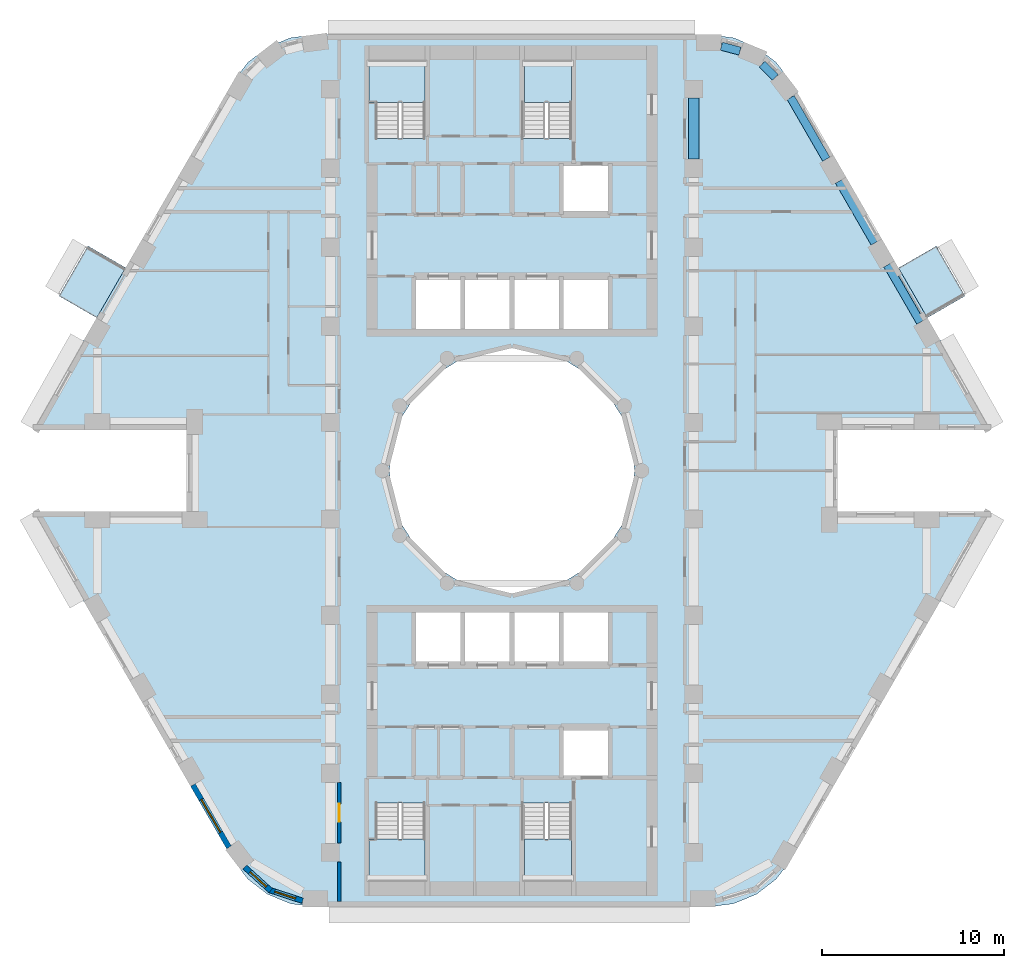
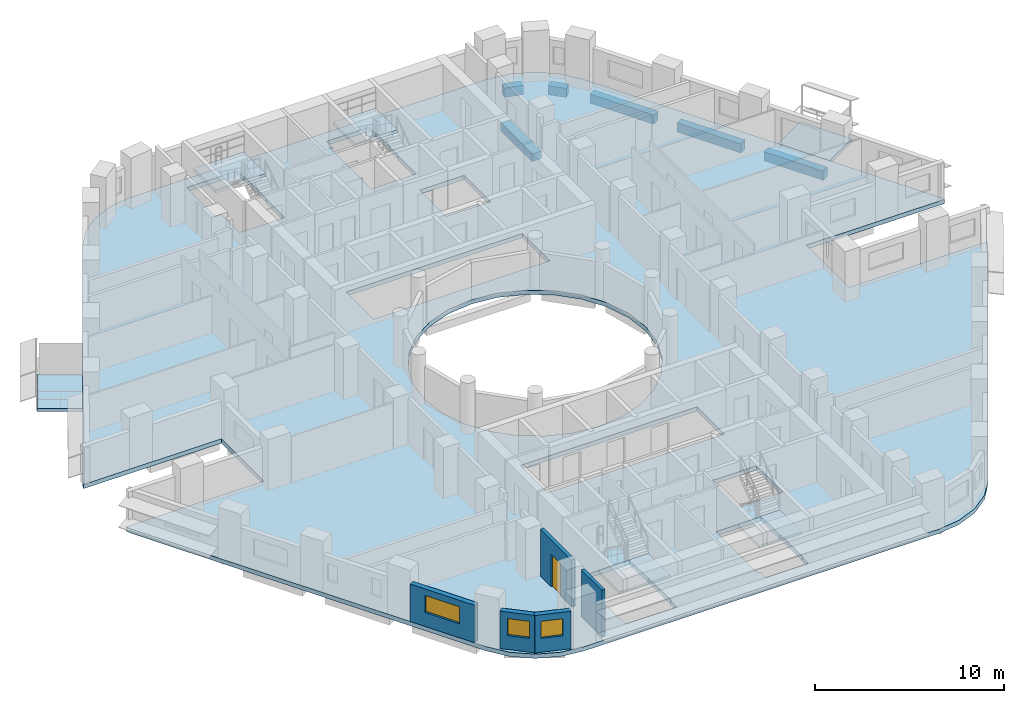
# One storey, part 2 of 14: 7 slabs, 6 beams, 5 walls, 3 windows, 1 door, 4 openings, 4 elements without a shape of their own.
"""IFC4 building model written with IfcOpenShell, lengths in metres."""

from ifc_helpers import new_model, si_unit, direction, frame, frame_2d, origin, origin_2d, place, context, subcontext, project, spatial, polyline, rectangle, outline, extrude, material, layer, layer_set, material_profile, profile_set, type_object, element, fill, aggregate, save


model = new_model("IFC4")

# Units and contexts
model_context = context("Model", 3, precision=1e-05, world=origin(), true_north=direction((0.0, 1.0)))
body_context = subcontext(model_context, "Body", "Model", "MODEL_VIEW")
ifc_project = project(units=[si_unit("LENGTHUNIT", "METRE"), si_unit("AREAUNIT", "SQUARE_METRE"), si_unit("VOLUMEUNIT", "CUBIC_METRE"), si_unit("PLANEANGLEUNIT", "RADIAN"), si_unit("MASSUNIT", "GRAM", prefix="KILO")], contexts=[model_context])

# Site, building, storey
site_placement = place(None, origin())
site = spatial("IfcSite", under=ifc_project, at=site_placement, CompositionType="ELEMENT")
building_placement = place(site_placement, origin())
building = spatial("IfcBuilding", under=site, at=building_placement, Name="Nakaniwa Court", CompositionType="ELEMENT")
storey_placement = place(building_placement, frame((0.0, 0.0, 114.0)))
storey = spatial("IfcBuildingStorey", under=building, at=storey_placement, Name="L30", CompositionType="ELEMENT", Elevation=114.0)

# Beams
ifc_material_1 = material(Name="Concrete C80/100", Category="concrete")
ifc_material_profile_1 = material_profile(ifc_material_1, rectangle(XDim=0.449951171875, YDim=0.60009765625, at=origin_2d()), Name="Concrete C80/100 RC 450x600 spandrel beam")
ifc_profile_set_1 = profile_set([ifc_material_profile_1], Name="Concrete C80/100")
beam_type_1 = type_object("IfcBeamType", Name="Concrete C80/100 RC 450x600 spandrel beam", PredefinedType="BEAM", material=ifc_profile_set_1)
beam_1_placement = place(storey_placement, frame((102.472900390625, 88.17578125, -0.574951171875), z_axis=(-0.499988394233, 0.866032104273, 0.0), x_axis=(-0.866032104273, -0.499988394233, 0.0)))
element("IfcBeam", 1, at=beam_1_placement, inside=storey, type_object=beam_type_1, Name="SPANDREL BEAM", PredefinedType="BEAM", context=body_context, shape_type="SweptSolid", body=[
    extrude(rectangle(XDim=0.449951171875, YDim=0.60009765625, at=origin_2d()), origin(), (0.0, 0.0, 1.0), 3.62890625),
])
beam_2_placement = place(storey_placement, frame((99.95849609375, 92.531005859375, -0.574951171875), z_axis=(-0.49999161165, 0.866030246746, 0.0), x_axis=(-0.866030246746, -0.49999161165, 0.0)))
element("IfcBeam", 2, at=beam_2_placement, inside=storey, type_object=beam_type_1, Name="SPANDREL BEAM", PredefinedType="BEAM", context=body_context, shape_type="SweptSolid", body=[
    extrude(rectangle(XDim=0.449951171875, YDim=0.60009765625, at=origin_2d()), origin(), (0.0, 0.0, 1.0), 3.92578125),
])
beam_3_placement = place(storey_placement, frame((97.29541015625, 97.143310546875, -0.574951171875), z_axis=(-0.499997407846, 0.86602690036, 0.0), x_axis=(-0.86602690036, -0.499997407846, 0.0)))
element("IfcBeam", 3, at=beam_3_placement, inside=storey, type_object=beam_type_1, Name="SPANDREL BEAM", PredefinedType="BEAM", context=body_context, shape_type="SweptSolid", body=[
    extrude(rectangle(XDim=0.449951171875, YDim=0.60009765625, at=origin_2d()), origin(), (0.0, 0.0, 1.0), 3.919921875),
])
beam_4_placement = place(storey_placement, frame((94.484130859375, 101.6494140625, -0.574951171875), z_axis=(-0.705911336947, 0.7083002078, 0.0), x_axis=(-0.7083002078, -0.705911336947, 0.0)))
element("IfcBeam", 4, at=beam_4_placement, inside=storey, type_object=beam_type_1, Name="SPANDREL BEAM", PredefinedType="BEAM", context=body_context, shape_type="SweptSolid", body=[
    extrude(rectangle(XDim=0.449951171875, YDim=0.60009765625, at=origin_2d()), origin(), (0.0, 0.0, 1.0), 1.02197265625),
])
beam_5_placement = place(storey_placement, frame((92.544921875, 103.091796875, -0.574951171875), z_axis=(-0.966315487466, 0.257360406209, 0.0), x_axis=(-0.257360406209, -0.966315487466, 0.0)))
element("IfcBeam", 5, at=beam_5_placement, inside=storey, type_object=beam_type_1, Name="SPANDREL BEAM", PredefinedType="BEAM", context=body_context, shape_type="SweptSolid", body=[
    extrude(rectangle(XDim=0.449951171875, YDim=0.60009765625, at=origin_2d()), origin(), (0.0, 0.0, 1.0), 1.055908203125),
])
ifc_material_profile_2 = material_profile(ifc_material_1, rectangle(XDim=0.60009765625, YDim=0.5, at=origin_2d()), Name="Concrete C80/100 RC 600x500 ring beam")
ifc_profile_set_2 = profile_set([ifc_material_profile_2], Name="Concrete C80/100")
beam_type_2 = type_object("IfcBeamType", Name="Concrete C80/100 RC 600x500 ring beam", PredefinedType="BEAM", material=ifc_profile_set_2)
beam_6_placement = place(storey_placement, frame((90.0, 97.14990234375, -0.52490234375), z_axis=(0.0, 1.0, 0.0), x_axis=(-1.0, 0.0, 0.0)))
element("IfcBeam", 6, at=beam_6_placement, inside=storey, type_object=beam_type_2, Name="RING BEAM", PredefinedType="BEAM", context=body_context, shape_type="SweptSolid", body=[
    extrude(rectangle(XDim=0.60009765625, YDim=0.5, at=origin_2d()), origin(), (0.0, 0.0, 1.0), 3.35009765625),
])

# Slabs
ifc_material_2 = material(Name="Charcoal ceramic paver")
ifc_layer_1 = layer(ifc_material_2, 0.02, Name="Ceramic paver")
ifc_material_3 = material(Name="Cement sand screed")
ifc_layer_2 = layer(ifc_material_3, 0.03, Name="Falls screed")
ifc_material_4 = material(Name="Concrete C40/50", Category="concrete")
ifc_layer_3 = layer(ifc_material_4, 0.15, Name="Balcony slab")
ifc_layer_set_1 = layer_set([ifc_layer_1, ifc_layer_2, ifc_layer_3], Name="Concrete C40/50 balcony slab with ceramic paver finish")
slab_type_1 = type_object("IfcSlabType", Name="Balcony slab 200", PredefinedType="FLOOR", material=ifc_layer_set_1)
slab_1_placement = place(storey_placement, frame((0.0, 0.0, -0.25)))
element("IfcSlab", 7, at=slab_1_placement, inside=storey, type_object=slab_type_1, Name="L30 balcony 01", PredefinedType="FLOOR", context=body_context, shape_type="SweptSolid", body=[
    extrude(outline(polyline([(58.73779296875, 91.1728515625), (57.1474609375, 88.418212890625), (55.069091796875, 89.6181640625), (56.659423828125, 92.372802734375), (58.73779296875, 91.1728515625)])), origin(), (0.0, 0.0, 1.0), 0.199951171875),
])
slab_2_placement = place(storey_placement, frame((0.0, 0.0, -0.25)))
element("IfcSlab", 8, at=slab_2_placement, inside=storey, type_object=slab_type_1, Name="L30 balcony 02", PredefinedType="FLOOR", context=body_context, shape_type="SweptSolid", body=[
    extrude(outline(polyline([(102.8525390625, 88.418212890625), (101.26953125, 91.159912109375), (103.347900390625, 92.360107421875), (104.930908203125, 89.6181640625), (102.8525390625, 88.418212890625)])), origin(), (0.0, 0.0, 1.0), 0.199951171875),
])
ifc_layer_4 = layer(ifc_material_1, 0.27490234375)
ifc_layer_set_2 = layer_set([ifc_layer_4], Name="Concrete C80/100")
slab_type_2 = type_object("IfcSlabType", Name="Concrete C80/100 post tensioned floor slab 275", PredefinedType="FLOOR", material=ifc_layer_set_2)
slab_3_placement = place(storey_placement, frame((0.0, 0.0, -0.27490234375)))
element("IfcSlab", 9, at=slab_3_placement, inside=storey, type_object=slab_type_2, Name="FLOOR SLAB", PredefinedType="FLOOR", context=body_context, shape_type="SweptSolid", body=[
    extrude(outline(polyline([(97.908447265625, 82.25), (106.356689453125, 82.25), (106.211669921875, 82.60009765625), (95.357421875, 101.39990234375), (94.531005859375, 102.47705078125), (93.4541015625, 103.30322265625), (92.199951171875, 103.82275390625), (90.854248046875, 104.0), (69.145751953125, 104.0), (67.800048828125, 103.82275390625), (66.5458984375, 103.30322265625), (65.468994140625, 102.47705078125), (64.642578125, 101.39990234375), (53.788330078125, 82.60009765625), (53.643310546875, 82.25), (62.091552734375, 82.25), (62.091552734375, 77.75), (53.643310546875, 77.75), (53.788330078125, 77.39990234375), (64.642578125, 58.60009765625), (65.468994140625, 57.52294921875), (66.5458984375, 56.69677734375), (67.800048828125, 56.17724609375), (69.145751953125, 56.0), (90.854248046875, 56.0), (92.199951171875, 56.17724609375), (93.4541015625, 56.69677734375), (94.531005859375, 57.52294921875), (95.357421875, 58.60009765625), (106.211669921875, 77.39990234375), (106.356689453125, 77.75), (97.908447265625, 77.75), (97.908447265625, 82.25)]), holes=[polyline([(81.501953125, 86.580810546875), (80.0, 86.75), (78.498046875, 86.580810546875), (77.0712890625, 86.08154296875), (75.79150390625, 85.27734375), (74.72265625, 84.20849609375), (73.91845703125, 82.9287109375), (73.419189453125, 81.501953125), (73.25, 80.0), (73.419189453125, 78.498046875), (73.91845703125, 77.0712890625), (74.72265625, 75.79150390625), (75.79150390625, 74.72265625), (77.0712890625, 73.91845703125), (78.498046875, 73.419189453125), (80.0, 73.25), (81.501953125, 73.419189453125), (82.9287109375, 73.91845703125), (84.20849609375, 74.72265625), (85.27734375, 75.79150390625), (86.08154296875, 77.0712890625), (86.580810546875, 78.498046875), (86.75, 80.0), (86.580810546875, 81.501953125), (86.08154296875, 82.9287109375), (85.27734375, 84.20849609375), (84.20849609375, 85.27734375), (82.9287109375, 86.08154296875), (81.501953125, 86.580810546875)]), polyline([(75.264892578125, 57.360107421875), (75.264892578125, 59.764892578125), (75.22509765625, 59.764892578125), (75.22509765625, 61.7099609375), (72.47509765625, 61.7099609375), (72.47509765625, 59.764892578125), (72.0849609375, 59.764892578125), (72.0849609375, 57.360107421875), (72.125, 57.360107421875), (72.125, 56.72509765625), (75.22509765625, 56.72509765625), (75.22509765625, 57.324951171875), (75.22509765625, 57.360107421875), (75.264892578125, 57.360107421875)]), polyline([(80.0, 69.300048828125), (82.699951171875, 69.300048828125), (85.39990234375, 69.300048828125), (85.39990234375, 72.199951171875), (82.699951171875, 72.199951171875), (80.0, 72.199951171875), (77.300048828125, 72.199951171875), (74.60009765625, 72.199951171875), (74.60009765625, 69.300048828125), (77.300048828125, 69.300048828125), (80.0, 69.300048828125)]), polyline([(80.0, 87.800048828125), (82.699951171875, 87.800048828125), (85.39990234375, 87.800048828125), (85.39990234375, 90.699951171875), (82.699951171875, 90.699951171875), (80.0, 90.699951171875), (77.300048828125, 90.699951171875), (74.60009765625, 90.699951171875), (74.60009765625, 87.800048828125), (77.300048828125, 87.800048828125), (80.0, 87.800048828125)]), polyline([(75.264892578125, 100.235107421875), (75.264892578125, 102.639892578125), (75.22509765625, 102.639892578125), (75.22509765625, 102.675048828125), (75.22509765625, 103.27490234375), (72.125, 103.27490234375), (72.125, 102.639892578125), (72.0849609375, 102.639892578125), (72.0849609375, 100.235107421875), (72.47509765625, 100.235107421875), (72.47509765625, 98.2900390625), (75.22509765625, 98.2900390625), (75.22509765625, 100.235107421875), (75.264892578125, 100.235107421875)]), polyline([(83.27490234375, 61.7099609375), (80.52490234375, 61.7099609375), (80.52490234375, 57.324951171875), (80.675048828125, 57.324951171875), (80.675048828125, 56.72509765625), (83.27490234375, 56.72509765625), (83.27490234375, 57.324951171875), (83.27490234375, 57.360107421875), (83.31494140625, 57.360107421875), (83.31494140625, 59.764892578125), (83.27490234375, 59.764892578125), (83.27490234375, 61.7099609375)]), polyline([(85.39990234375, 65.89990234375), (82.699951171875, 65.89990234375), (82.699951171875, 63.10009765625), (85.39990234375, 63.10009765625), (85.39990234375, 65.89990234375)]), polyline([(85.39990234375, 96.89990234375), (82.699951171875, 96.89990234375), (82.699951171875, 94.10009765625), (85.39990234375, 94.10009765625), (85.39990234375, 96.89990234375)]), polyline([(83.27490234375, 100.235107421875), (83.31494140625, 100.235107421875), (83.31494140625, 102.639892578125), (83.27490234375, 102.639892578125), (83.27490234375, 102.675048828125), (83.27490234375, 103.27490234375), (80.675048828125, 103.27490234375), (80.675048828125, 102.675048828125), (80.52490234375, 102.675048828125), (80.52490234375, 98.2900390625), (83.27490234375, 98.2900390625), (83.27490234375, 100.235107421875)])]), origin(), (0.0, 0.0, 1.0), 0.27490234375),
])

# Stair, slab
stair_type = type_object("IfcStairType", Name="Dog leg stair 1300 wide 18 risers", PredefinedType="HALF_TURN_STAIR", material=ifc_material_1)
stair_1_placement = place(storey_placement, origin())
stair_1 = element("IfcStair", 10, at=stair_1_placement, inside=storey, type_object=stair_type, Name="L30 Stair ST1", PredefinedType="HALF_TURN_STAIR")
ifc_layer_5 = layer(ifc_material_1, 0.199951171875)
ifc_layer_set_3 = layer_set([ifc_layer_5], Name="Concrete C80/100")
slab_type_3 = type_object("IfcSlabType", Name="Stair landing concrete", PredefinedType="LANDING", material=ifc_layer_set_3)
slab_4_placement = place(storey_placement, frame((0.0, 0.0, 1.449951171875)))
slab_4 = element("IfcSlab", 11, at=slab_4_placement, type_object=slab_type_3, Name="ST1 landing 1", PredefinedType="LANDING", context=body_context, shape_type="SweptSolid", body=[
    extrude(outline(polyline([(75.22509765625, 100.27490234375), (75.22509765625, 102.60009765625), (72.125, 102.60009765625), (72.125, 100.27490234375), (75.22509765625, 100.27490234375)])), origin(), (0.0, 0.0, 1.0), 0.199951171875),
])
aggregate(stair_1, [slab_4])

stair_2_placement = place(storey_placement, origin())
stair_2 = element("IfcStair", 12, at=stair_2_placement, inside=storey, type_object=stair_type, Name="L30 Stair ST2", PredefinedType="HALF_TURN_STAIR")
slab_5_placement = place(storey_placement, frame((0.0, 0.0, 1.449951171875)))
slab_5 = element("IfcSlab", 13, at=slab_5_placement, type_object=slab_type_3, Name="ST2 landing 1", PredefinedType="LANDING", context=body_context, shape_type="SweptSolid", body=[
    extrude(outline(polyline([(83.27490234375, 100.27490234375), (83.27490234375, 102.60009765625), (80.675048828125, 102.60009765625), (80.675048828125, 100.27490234375), (83.27490234375, 100.27490234375)])), origin(), (0.0, 0.0, 1.0), 0.199951171875),
])
aggregate(stair_2, [slab_5])

stair_3_placement = place(storey_placement, origin())
stair_3 = element("IfcStair", 14, at=stair_3_placement, inside=storey, type_object=stair_type, Name="L30 Stair ST3", PredefinedType="HALF_TURN_STAIR")
slab_6_placement = place(storey_placement, frame((0.0, 0.0, 1.449951171875)))
slab_6 = element("IfcSlab", 15, at=slab_6_placement, type_object=slab_type_3, Name="ST3 landing 1", PredefinedType="LANDING", context=body_context, shape_type="SweptSolid", body=[
    extrude(outline(polyline([(75.22509765625, 57.39990234375), (75.22509765625, 59.72509765625), (72.125, 59.72509765625), (72.125, 57.39990234375), (75.22509765625, 57.39990234375)])), origin(), (0.0, 0.0, 1.0), 0.199951171875),
])
aggregate(stair_3, [slab_6])

stair_4_placement = place(storey_placement, origin())
stair_4 = element("IfcStair", 16, at=stair_4_placement, inside=storey, type_object=stair_type, Name="L30 Stair ST4", PredefinedType="HALF_TURN_STAIR")
slab_7_placement = place(storey_placement, frame((0.0, 0.0, 1.449951171875)))
slab_7 = element("IfcSlab", 17, at=slab_7_placement, type_object=slab_type_3, Name="ST4 landing 1", PredefinedType="LANDING", context=body_context, shape_type="SweptSolid", body=[
    extrude(outline(polyline([(83.27490234375, 57.39990234375), (83.27490234375, 59.72509765625), (80.675048828125, 59.72509765625), (80.675048828125, 57.39990234375), (83.27490234375, 57.39990234375)])), origin(), (0.0, 0.0, 1.0), 0.199951171875),
])
aggregate(stair_4, [slab_7])

# Wall
ifc_material_5 = material(Name="Acoustic double stud partition")
ifc_layer_6 = layer(ifc_material_5, 0.199951171875)
ifc_layer_set_4 = layer_set([ifc_layer_6], Name="Acoustic double stud partition")
wall_type_1 = type_object("IfcWallType", Name="Acoustic double stud partition 200", PredefinedType="PARTITIONING", material=ifc_layer_set_4)
wall_1_placement = place(storey_placement, frame((70.5, 56.300048828125, 0.0), z_axis=(0.0, 0.0, 1.0), x_axis=(0.0, 1.0, 0.0)))
element("IfcWall", 18, at=wall_1_placement, inside=storey, type_object=wall_type_1, Name="Partition PW-098", PredefinedType="PARTITIONING", context=body_context, shape_type="SweptSolid", body=[
    extrude(rectangle(XDim=2.182861328125, YDim=0.199951171875, at=frame_2d((1.09130859375, 0.0))), origin(), (0.0, 0.0, 1.0), 3.02490234375),
])

# Wall, opening, door
wall_2_placement = place(storey_placement, frame((70.5, 59.51708984375, 0.0), z_axis=(0.0, 0.0, 1.0), x_axis=(0.0, 1.0, 0.0)))
wall_2 = element("IfcWall", 19, at=wall_2_placement, inside=storey, type_object=wall_type_1, Name="Partition PW-099", PredefinedType="PARTITIONING", context=body_context, shape_type="SweptSolid", body=[
    extrude(rectangle(XDim=3.31591796875, YDim=0.199951171875, at=frame_2d((1.657958984375, 0.0))), origin(), (0.0, 0.0, 1.0), 3.02490234375),
])
opening_1_placement = place(wall_2_placement, frame((1.157958984375, 0.0, 0.0)))
opening_1 = element("IfcOpeningElement", 20, at=opening_1_placement, cuts=wall_2, Name="Opening D-02-04", PredefinedType="OPENING", context=body_context, shape_type="SweptSolid", body=[
    extrude(rectangle(XDim=1.0, YDim=2.10009765625, at=frame_2d((0.5, 1.050048828125))), frame((0.0, 0.10986328125, 0.0), z_axis=(0.0, -1.0, 0.0), x_axis=(1.0, 0.0, 0.0)), (0.0, 0.0, 1.0), 0.219970703125),
])
ifc_material_6 = material(Name="Solid core timber door set, black veneer", Category="wood")
door_type = type_object("IfcDoorType", Name="Internal door 1000", OperationType="NOTDEFINED", PredefinedType="DOOR", material=ifc_material_6)
door_placement = place(opening_1_placement, origin())
door = element("IfcDoor", 21, at=door_placement, inside=storey, type_object=door_type, Name="Door D-02-04 L30-036", OperationType="SINGLE_SWING_LEFT", OverallHeight=2.10009765625, OverallWidth=1.0, PredefinedType="DOOR", context=body_context, shape_type="SweptSolid", body=[
    extrude(rectangle(XDim=1.0, YDim=2.10009765625, at=frame_2d((0.5, 1.050048828125))), frame((0.0, 0.02490234375, 0.0), z_axis=(0.0, -1.0, 0.0), x_axis=(1.0, 0.0, 0.0)), (0.0, 0.0, 1.0), 0.050048828125),
])
fill(opening_1, door)

# Wall, opening, window
ifc_material_7 = material(Name="Charcoal ceramic cladding")
ifc_layer_7 = layer(ifc_material_7, 0.02, Name="Ceramic cladding")
ifc_material_8 = material(Name="Ventilated air cavity")
ifc_layer_8 = layer(ifc_material_8, 0.04, ventilated=True, Name="Ventilated cavity")
ifc_material_9 = material(Name="Mineral wool insulation")
ifc_layer_9 = layer(ifc_material_9, 0.1, Name="Insulation")
ifc_material_10 = material(Name="Cement bonded sheathing board")
ifc_layer_10 = layer(ifc_material_10, 0.012, Name="Sheathing")
ifc_material_11 = material(Name="Cold-formed galvanised stud frame with mineral wool infill")
ifc_layer_11 = layer(ifc_material_11, 0.1, Name="Stud frame")
ifc_material_12 = material(Name="Fire-rated gypsum plasterboard lining")
ifc_layer_12 = layer(ifc_material_12, 0.028, Name="Lining")
ifc_layer_set_5 = layer_set([ifc_layer_7, ifc_layer_8, ifc_layer_9, ifc_layer_10, ifc_layer_11, ifc_layer_12], Name="Charcoal ceramic faced external wall system")
wall_type_2 = type_object("IfcWallType", Name="Black ceramic faced external wall 300", PredefinedType="SOLIDWALL", material=ifc_layer_set_5)
wall_3_placement = place(storey_placement, frame((62.442626953125, 62.710205078125, 0.0), z_axis=(0.0, 0.0, 1.0), x_axis=(0.500043828347, -0.866000097998, 0.0)))
wall_3 = element("IfcWall", 22, at=wall_3_placement, inside=storey, type_object=wall_type_2, Name="L30 external wall 23", PredefinedType="SOLIDWALL", context=body_context, shape_type="SweptSolid", body=[
    extrude(rectangle(XDim=3.967529296875, YDim=0.300048828125, at=frame_2d((1.98388671875, 0.0))), origin(), (0.0, 0.0, 1.0), 2.425048828125),
])
opening_2_placement = place(wall_3_placement, frame((0.92236328125, 0.0, 0.89990234375)))
opening_2 = element("IfcOpeningElement", 23, at=opening_2_placement, cuts=wall_3, Name="Opening W7.18", PredefinedType="OPENING", context=body_context, shape_type="SweptSolid", body=[
    extrude(rectangle(XDim=2.10009765625, YDim=1.10009765625, at=frame_2d((1.050048828125, 0.550048828125))), frame((0.0, 0.159912109375, 0.0), z_axis=(0.0, -1.0, 0.0), x_axis=(1.0, 0.0, 0.0)), (0.0, 0.0, 1.0), 0.320068359375),
])
ifc_material_13 = material(Name="Black anodised aluminium frame with dark low-E laminated double glazing", Category="aluminium")
window_type_1 = type_object("IfcWindowType", Name="Dark glass window 2100x1100 sill 900", PartitioningType="SINGLE_PANEL", PredefinedType="WINDOW", material=ifc_material_13)
window_1_placement = place(opening_2_placement, origin())
window_1 = element("IfcWindow", 24, at=window_1_placement, inside=storey, type_object=window_type_1, Name="L30 habitable room window 23-0", OverallHeight=1.10009765625, OverallWidth=2.10009765625, PartitioningType="SINGLE_PANEL", PredefinedType="WINDOW", context=body_context, shape_type="SweptSolid", body=[
    extrude(rectangle(XDim=2.10009765625, YDim=1.10009765625, at=frame_2d((1.050048828125, 0.550048828125))), frame((0.0, 0.030029296875, 0.0), z_axis=(0.0, -1.0, 0.0), x_axis=(1.0, 0.0, 0.0)), (0.0, 0.0, 1.0), 0.06005859375),
])
fill(opening_2, window_1)

wall_4_placement = place(storey_placement, frame((65.294921875, 58.18603515625, 0.0), z_axis=(0.0, 0.0, 1.0), x_axis=(0.740421367382, -0.672142989791, 0.0)))
wall_4 = element("IfcWall", 25, at=wall_4_placement, inside=storey, type_object=wall_type_2, Name="L30 external wall 24", PredefinedType="SOLIDWALL", context=body_context, shape_type="SweptSolid", body=[
    extrude(rectangle(XDim=1.92724609375, YDim=0.300048828125, at=frame_2d((0.963623046875, 0.0))), origin(), (0.0, 0.0, 1.0), 2.425048828125),
])
opening_3_placement = place(wall_4_placement, frame((0.39111328125, 0.0, 0.89990234375)))
opening_3 = element("IfcOpeningElement", 26, at=opening_3_placement, cuts=wall_4, Name="Opening W6.19", PredefinedType="OPENING", context=body_context, shape_type="SweptSolid", body=[
    extrude(rectangle(XDim=1.199951171875, YDim=1.10009765625, at=frame_2d((0.60009765625, 0.550048828125))), frame((0.0, 0.159912109375, 0.0), z_axis=(0.0, -1.0, 0.0), x_axis=(1.0, 0.0, 0.0)), (0.0, 0.0, 1.0), 0.320068359375),
])
window_type_2 = type_object("IfcWindowType", Name="Dark glass window 1200x1100 sill 900", PartitioningType="SINGLE_PANEL", PredefinedType="WINDOW", material=ifc_material_13)
window_2_placement = place(opening_3_placement, origin())
window_2 = element("IfcWindow", 27, at=window_2_placement, inside=storey, type_object=window_type_2, Name="L30 habitable room window 24-0", OverallHeight=1.10009765625, OverallWidth=1.199951171875, PartitioningType="SINGLE_PANEL", PredefinedType="WINDOW", context=body_context, shape_type="SweptSolid", body=[
    extrude(rectangle(XDim=1.199951171875, YDim=1.10009765625, at=frame_2d((0.60009765625, 0.550048828125))), frame((0.0, 0.030029296875, 0.0), z_axis=(0.0, -1.0, 0.0), x_axis=(1.0, 0.0, 0.0)), (0.0, 0.0, 1.0), 0.06005859375),
])
fill(opening_3, window_2)

wall_5_placement = place(storey_placement, frame((66.625, 56.939453125, 0.0), z_axis=(0.0, 0.0, 1.0), x_axis=(0.950777961763, -0.309872985958, 0.0)))
wall_5 = element("IfcWall", 28, at=wall_5_placement, inside=storey, type_object=wall_type_2, Name="L30 external wall 25", PredefinedType="SOLIDWALL", context=body_context, shape_type="SweptSolid", body=[
    extrude(rectangle(XDim=1.949951171875, YDim=0.300048828125, at=frame_2d((0.97509765625, 0.0))), origin(), (0.0, 0.0, 1.0), 2.425048828125),
])
opening_4_placement = place(wall_5_placement, frame((0.334716796875, 0.0, 0.89990234375)))
opening_4 = element("IfcOpeningElement", 29, at=opening_4_placement, cuts=wall_5, Name="Opening W6.20", PredefinedType="OPENING", context=body_context, shape_type="SweptSolid", body=[
    extrude(rectangle(XDim=1.199951171875, YDim=1.10009765625, at=frame_2d((0.60009765625, 0.550048828125))), frame((0.0, 0.159912109375, 0.0), z_axis=(0.0, -1.0, 0.0), x_axis=(1.0, 0.0, 0.0)), (0.0, 0.0, 1.0), 0.320068359375),
])
window_3_placement = place(opening_4_placement, origin())
window_3 = element("IfcWindow", 30, at=window_3_placement, inside=storey, type_object=window_type_2, Name="L30 habitable room window 25-0", OverallHeight=1.10009765625, OverallWidth=1.199951171875, PartitioningType="SINGLE_PANEL", PredefinedType="WINDOW", context=body_context, shape_type="SweptSolid", body=[
    extrude(rectangle(XDim=1.199951171875, YDim=1.10009765625, at=frame_2d((0.60009765625, 0.550048828125))), frame((0.0, 0.030029296875, 0.0), z_axis=(0.0, -1.0, 0.0), x_axis=(1.0, 0.0, 0.0)), (0.0, 0.0, 1.0), 0.06005859375),
])
fill(opening_4, window_3)

save(model, "model.ifc")
